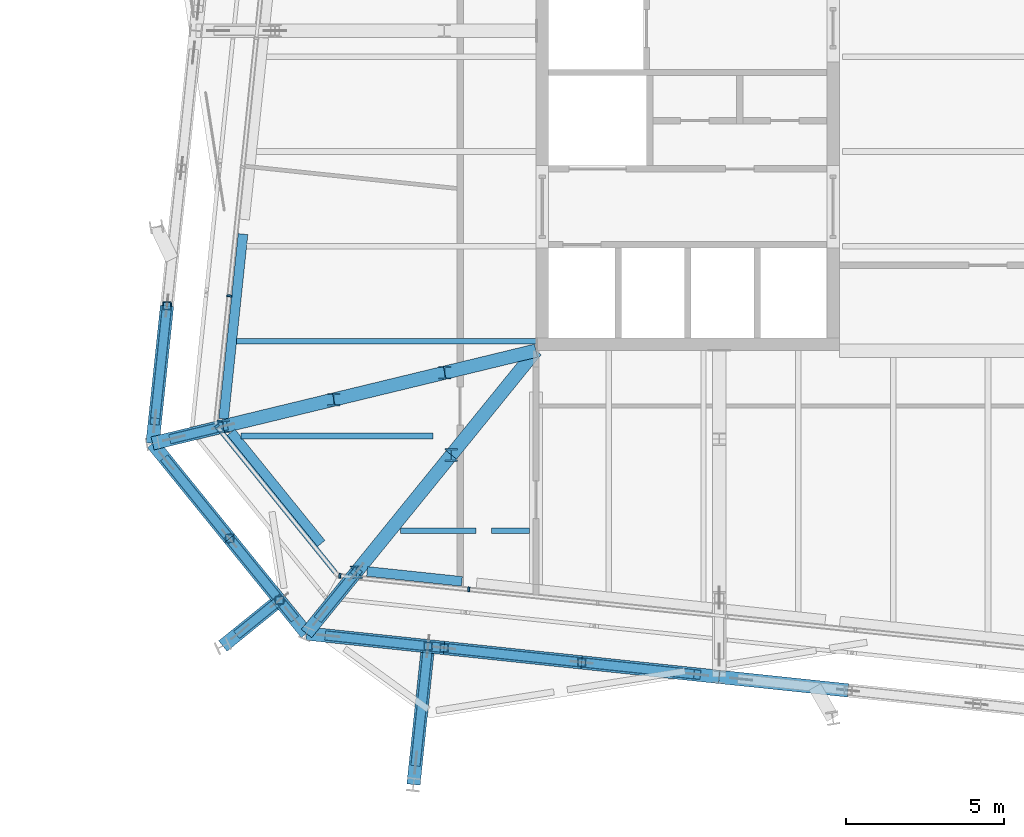
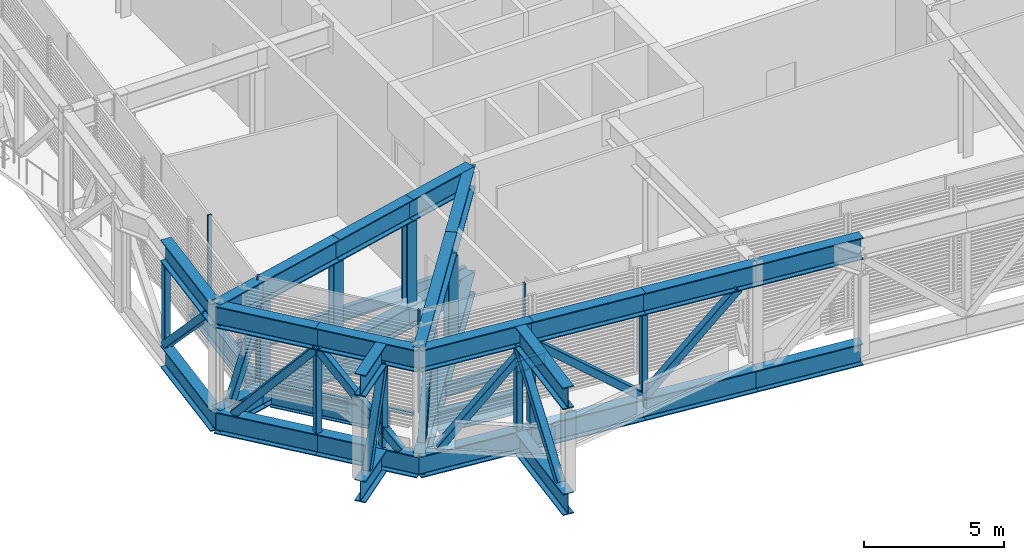
# One storey, part 3 of 36: 39 beams, 26 members, 3 elements without a shape of their own.
"""IFC4 building model written with IfcOpenShell, lengths in metres."""

from ifc_helpers import new_model, si_unit, direction, frame, origin, origin_2d, place, context, subcontext, project, spatial, rectangle, hollow_rectangle, i_section, extrude, material, layer, layer_set, material_profile, profile_set, type_object, element, aggregate, save


model = new_model("IFC4")

# Units and contexts
model_context = context("Model", 3, precision=1e-05, world=origin(), true_north=direction((0.0, 1.0)))
body_context = subcontext(model_context, "Body", "Model", "MODEL_VIEW")
ifc_project = project(units=[si_unit("LENGTHUNIT", "METRE"), si_unit("AREAUNIT", "SQUARE_METRE"), si_unit("VOLUMEUNIT", "CUBIC_METRE"), si_unit("PLANEANGLEUNIT", "RADIAN"), si_unit("MASSUNIT", "GRAM", prefix="KILO")], contexts=[model_context])

# Site, building, storey
site_placement = place(None, origin())
site = spatial("IfcSite", under=ifc_project, at=site_placement, CompositionType="ELEMENT")
building_placement = place(site_placement, origin())
building = spatial("IfcBuilding", under=site, at=building_placement, Name="Millrace Tower", CompositionType="ELEMENT")
storey_placement = place(building_placement, frame((0.0, 0.0, 271.39990234375)))
storey = spatial("IfcBuildingStorey", under=building, at=storey_placement, Name="L62", CompositionType="ELEMENT", Elevation=271.39990234375)

# Curtain wall, member
ifc_material_1 = material(Name="Aluminium and glass", Category="aluminium")
ifc_layer = layer(ifc_material_1, 0.14990234375)
ifc_layer_set = layer_set([ifc_layer], Name="Aluminium and glass")
curtain_wall_type = type_object("IfcCurtainWallType", Name="CW-5 truss and plant storey louvred infill", PredefinedType="NOTDEFINED", material=ifc_layer_set)
placement = place(storey_placement, origin())
curtain_wall_1 = element("IfcCurtainWall", 1, at=placement, inside=storey, type_object=curtain_wall_type, Name="Curtain wall E-F01 L62", PredefinedType="NOTDEFINED")
ifc_material_2 = material(Name="Aluminium", Category="aluminium")
ifc_material_profile_1 = material_profile(ifc_material_2, rectangle(XDim=0.06494140625, YDim=0.14990234375, at=origin_2d()))
ifc_profile_set_1 = profile_set([ifc_material_profile_1], Name="Aluminium")
member_type_1 = type_object("IfcMemberType", Name="CW-5 truss and plant storey louvred infill mullion", PredefinedType="MULLION", material=ifc_profile_set_1)
member_1_placement = place(storey_placement, frame((-24.391845703125, -11.693359375, 0.14013671875), z_axis=(0.0, 0.0, 1.0), x_axis=(0.629320278945, -0.777146052237, 0.0)))
member_1 = element("IfcMember", 2, at=member_1_placement, type_object=member_type_1, Name="CW5 mullion E-F01.1", PredefinedType="MULLION", context=body_context, shape_type="SweptSolid", body=[
    extrude(rectangle(XDim=0.06494140625, YDim=0.14990234375, at=origin_2d()), origin(), (0.0, 0.0, 1.0), 4.4599609375),
])

# Curtain wall, members
curtain_wall_2 = element("IfcCurtainWall", 3, at=placement, inside=storey, type_object=curtain_wall_type, Name="Curtain wall E-F02 L62", PredefinedType="NOTDEFINED")
member_2_placement = place(storey_placement, frame((-20.50244140625, -16.4248046875, 0.14013671875), z_axis=(0.0, 0.0, 1.0), x_axis=(0.994521896217, -0.104528455196, 0.0)))
member_2 = element("IfcMember", 4, at=member_2_placement, type_object=member_type_1, Name="CW5 mullion E-F02.1", PredefinedType="MULLION", context=body_context, shape_type="SweptSolid", body=[
    extrude(rectangle(XDim=0.06494140625, YDim=0.14990234375, at=origin_2d()), origin(), (0.0, 0.0, 1.0), 4.4599609375),
])
member_3_placement = place(storey_placement, frame((-16.425048828125, -16.853271484375, 0.14013671875), z_axis=(0.0, 0.0, 1.0), x_axis=(0.994521896217, -0.104528455196, 0.0)))
member_3 = element("IfcMember", 5, at=member_3_placement, type_object=member_type_1, Name="CW5 mullion E-F02.2", PredefinedType="MULLION", context=body_context, shape_type="SweptSolid", body=[
    extrude(rectangle(XDim=0.06494140625, YDim=0.14990234375, at=origin_2d()), origin(), (0.0, 0.0, 1.0), 4.4599609375),
])
aggregate(curtain_wall_2, [member_2, member_3])

# Curtain wall, member
curtain_wall_3 = element("IfcCurtainWall", 6, at=placement, inside=storey, type_object=curtain_wall_type, Name="Curtain wall E-F08 L62", PredefinedType="NOTDEFINED")
member_4_placement = place(storey_placement, frame((-24.00341796875, -7.56787109375, 0.14013671875), z_axis=(0.0, 0.0, 1.0), x_axis=(-0.104528455196, -0.994521896217, 0.0)))
member_4 = element("IfcMember", 7, at=member_4_placement, type_object=member_type_1, Name="CW5 mullion E-F08.9", PredefinedType="MULLION", context=body_context, shape_type="SweptSolid", body=[
    extrude(rectangle(XDim=0.06494140625, YDim=0.14990234375, at=origin_2d()), origin(), (0.0, 0.0, 1.0), 4.4599609375),
])
aggregate(curtain_wall_3, [member_4])

# Member
ifc_material_3 = material(Name="Aluminium", Category="aluminium")
ifc_material_profile_2 = material_profile(ifc_material_3, rectangle(XDim=0.14990234375, YDim=0.139892578125, at=origin_2d()))
ifc_profile_set_2 = profile_set([ifc_material_profile_2], Name="Aluminium")
member_type_2 = type_object("IfcMemberType", Name="CW-5 truss and plant storey louvred infill transom", PredefinedType="USERDEFINED", material=ifc_profile_set_2)
member_5_placement = place(storey_placement, frame((-24.349365234375, -11.745849609375, 0.070068359375), z_axis=(0.629321221277, -0.777145289151, 0.0), x_axis=(0.777145289151, 0.629321221277, 0.0)))
member_5 = element("IfcMember", 8, at=member_5_placement, type_object=member_type_2, Name="CW5 transom E-F01.1", ObjectType="TRANSOM", PredefinedType="USERDEFINED", context=body_context, shape_type="SweptSolid", body=[
    extrude(rectangle(XDim=0.14990234375, YDim=0.139892578125, at=origin_2d()), origin(), (0.0, 0.0, 1.0), 5.881103515625),
])

aggregate(curtain_wall_1, [member_1, member_5])

# Beams
ifc_material_4 = material(Name="Steel ASTM A992 Grade 50", Category="steel")
ifc_material_profile_3 = material_profile(ifc_material_4, i_section(OverallWidth=0.1650390625, OverallDepth=0.52587890625, WebThickness=0.0087890625, FlangeThickness=0.011474609375, FilletRadius=0.0126953125, at=origin_2d()))
ifc_profile_set_3 = profile_set([ifc_material_profile_3], Name="Steel ASTM A992 Grade 50")
beam_type_1 = type_object("IfcBeamType", Name="Floor beam W21x44", PredefinedType="JOIST", material=ifc_profile_set_3)
beam_1_placement = place(storey_placement, frame((-15.705322265625, -15.0, -0.4228515625), z_axis=(1.0, 0.0, 0.0), x_axis=(0.0, 1.0, 0.0)))
element("IfcBeam", 9, at=beam_1_placement, inside=storey, type_object=beam_type_1, Name="BM-E-L62-S1-S002-b", PredefinedType="JOIST", context=body_context, shape_type="SweptSolid", body=[
    extrude(i_section(OverallWidth=0.1650390625, OverallDepth=0.52587890625, WebThickness=0.0087890625, FlangeThickness=0.011474609375, FilletRadius=0.0126953125, at=origin_2d()), origin(), (0.0, 0.0, 1.0), 1.19580078125),
])
beam_2_placement = place(storey_placement, frame((-18.58056640625, -15.0, -0.4228515625), z_axis=(1.0, 0.0, 0.0), x_axis=(0.0, 1.0, 0.0)))
element("IfcBeam", 10, at=beam_2_placement, inside=storey, type_object=beam_type_1, Name="BM-E-L62-S1-S002-a", PredefinedType="JOIST", context=body_context, shape_type="SweptSolid", body=[
    extrude(i_section(OverallWidth=0.1650390625, OverallDepth=0.52587890625, WebThickness=0.0087890625, FlangeThickness=0.011474609375, FilletRadius=0.0126953125, at=origin_2d()), origin(), (0.0, 0.0, 1.0), 2.3837890625),
])
ifc_material_5 = material(Name="Steel ASTM A992 Grade 50", Category="steel")
ifc_material_profile_4 = material_profile(ifc_material_5, i_section(OverallWidth=0.177978515625, OverallDepth=0.599365234375, WebThickness=0.010009765625, FlangeThickness=0.012939453125, FilletRadius=0.012939453125, at=origin_2d()))
ifc_profile_set_4 = profile_set([ifc_material_profile_4], Name="Steel ASTM A992 Grade 50")
beam_type_2 = type_object("IfcBeamType", Name="Floor beam W24x55", PredefinedType="JOIST", material=ifc_profile_set_4)
beam_3_placement = place(storey_placement, frame((-23.76953125, -9.0, -0.459716796875), z_axis=(1.0, 0.0, 0.0), x_axis=(0.0, 1.0, 0.0)))
element("IfcBeam", 11, at=beam_3_placement, inside=storey, type_object=beam_type_2, Name="BM-E-L62-S1-S006", PredefinedType="JOIST", context=body_context, shape_type="SweptSolid", body=[
    extrude(i_section(OverallWidth=0.177978515625, OverallDepth=0.599365234375, WebThickness=0.010009765625, FlangeThickness=0.012939453125, FilletRadius=0.012939453125, at=origin_2d()), origin(), (0.0, 0.0, 1.0), 9.469482421875),
])
beam_4_placement = place(storey_placement, frame((-23.635498046875, -12.0, -0.459716796875), z_axis=(1.0, 0.0, 0.0), x_axis=(0.0, 1.0, 0.0)))
element("IfcBeam", 12, at=beam_4_placement, inside=storey, type_object=beam_type_2, Name="BM-E-L62-S1-S004-a", PredefinedType="JOIST", context=body_context, shape_type="SweptSolid", body=[
    extrude(i_section(OverallWidth=0.177978515625, OverallDepth=0.599365234375, WebThickness=0.010009765625, FlangeThickness=0.012939453125, FilletRadius=0.012939453125, at=origin_2d()), origin(), (0.0, 0.0, 1.0), 6.0712890625),
])
ifc_material_6 = material(Name="Steel ASTM A992 Grade 50", Category="steel")
ifc_material_profile_5 = material_profile(ifc_material_6, i_section(OverallWidth=0.307373046875, OverallDepth=0.927001953125, WebThickness=0.01953125, FlangeThickness=0.031982421875, FilletRadius=0.01904296875, at=origin_2d()))
ifc_profile_set_5 = profile_set([ifc_material_profile_5], Name="Steel ASTM A992 Grade 50")
beam_type_3 = type_object("IfcBeamType", Name="Ring beam short span W36x194", PredefinedType="SPANDREL", material=ifc_profile_set_5)
beam_5_placement = place(storey_placement, frame((-24.182373046875, -11.4580078125, -0.62353515625), z_axis=(0.104529072092, 0.994521831378, 0.0), x_axis=(-0.994521831378, 0.104529072092, 0.0)))
element("IfcBeam", 13, at=beam_5_placement, inside=storey, type_object=beam_type_3, Name="RNG-E-L62-S1-01-a", PredefinedType="SPANDREL", context=body_context, shape_type="SweptSolid", body=[
    extrude(i_section(OverallWidth=0.307373046875, OverallDepth=0.927001953125, WebThickness=0.01953125, FlangeThickness=0.031982421875, FilletRadius=0.01904296875, at=origin_2d()), origin(), (0.0, 0.0, 1.0), 5.87646484375),
])
beam_6_placement = place(storey_placement, frame((-16.642822265625, -16.6005859375, -0.62353515625), z_axis=(-0.994522740556, 0.104520421529, 0.0), x_axis=(-0.104520421529, -0.994522740556, 0.0)))
element("IfcBeam", 14, at=beam_6_placement, inside=storey, type_object=beam_type_3, Name="RNG-E-L62-S1-15-b", PredefinedType="SPANDREL", context=body_context, shape_type="SweptSolid", body=[
    extrude(i_section(OverallWidth=0.307373046875, OverallDepth=0.927001953125, WebThickness=0.01953125, FlangeThickness=0.031982421875, FilletRadius=0.01904296875, at=origin_2d()), origin(), (0.0, 0.0, 1.0), 3.015625),
])
beam_7_placement = place(storey_placement, frame((-21.094482421875, -15.401611328125, -0.62353515625), z_axis=(-0.629334573383, 0.777134476615, 0.0), x_axis=(-0.777134476615, -0.629334573383, 0.0)))
element("IfcBeam", 15, at=beam_7_placement, inside=storey, type_object=beam_type_3, Name="RNG-E-L62-S1-16", PredefinedType="SPANDREL", context=body_context, shape_type="SweptSolid", body=[
    extrude(i_section(OverallWidth=0.307373046875, OverallDepth=0.927001953125, WebThickness=0.01953125, FlangeThickness=0.031982421875, FilletRadius=0.01904296875, at=origin_2d()), origin(), (0.0, 0.0, 1.0), 4.53271484375),
])

# Members
ifc_material_7 = material(Name="Steel ASTM A992 Grade 50", Category="steel")
ifc_material_profile_6 = material_profile(ifc_material_7, i_section(OverallWidth=0.4013671875, OverallDepth=0.398681640625, WebThickness=0.02490234375, FlangeThickness=0.03955078125, FilletRadius=0.01513671875, at=origin_2d()))
ifc_profile_set_6 = profile_set([ifc_material_profile_6], Name="Steel ASTM A992 Grade 50")
member_type_3 = type_object("IfcMemberType", Name="Transfer truss Vierendeel moment post W14x211", PredefinedType="POST", material=ifc_profile_set_6)
for number, where, z_axis, x_axis, name in (
    (16, (-24.194091796875, -11.694580078125, -0.159912109375), (0.0, 0.0, 1.0), (1.0, 0.0, 0.0), "TRS-L62-C01-V01"),
    (17, (-20.695068359375, -10.847900390625, -0.159912109375), (0.0, 0.0, 1.0), (1.0, 0.0, 0.0), "TRS-L62-C01-V02"),
    (18, (-17.186767578125, -9.998779296875, -0.159912109375), (0.0, 0.0, 1.0), (1.0, 0.0, 0.0), "TRS-L62-C01-V03"),
    (19, (-19.98486328125, -16.307861328125, -0.159912109375), (0.0, 0.0, 1.0), (1.0, 0.0, 0.0), "TRS-L62-C02-V01"),
    (20, (-16.9775390625, -12.6005859375, -0.159912109375), (0.0, 0.0, 1.0), (1.0, 0.0, 0.0), "TRS-L62-C02-V02"),
):
    element("IfcMember", number, at=place(storey_placement, frame(where, z_axis=z_axis, x_axis=x_axis)), inside=storey, type_object=member_type_3, Name=name, PredefinedType="POST", context=body_context, shape_type="SweptSolid", body=[
        extrude(i_section(OverallWidth=0.4013671875, OverallDepth=0.398681640625, WebThickness=0.02490234375, FlangeThickness=0.03955078125, FilletRadius=0.01513671875, at=origin_2d()), origin(), (0.0, 0.0, 1.0), 3.652587890625),
    ])

# Beams
ifc_material_8 = material(Name="Steel ASTM A992 Grade 50", Category="steel")
ifc_material_profile_7 = material_profile(ifc_material_8, i_section(OverallWidth=0.424072265625, OverallDepth=0.947509765625, WebThickness=0.02392578125, FlangeThickness=0.042724609375, FilletRadius=0.024169921875, at=origin_2d()))
ifc_profile_set_7 = profile_set([ifc_material_profile_7], Name="Steel ASTM A992 Grade 50")
beam_type_4 = type_object("IfcBeamType", Name="Transfer truss chord W36x302", PredefinedType="BEAM", material=ifc_profile_set_7)
for number, where, z_axis, x_axis, name in (
    (21, (-26.429443359375, -12.23583984375, -0.633544921875), (0.629339814045, -0.777130232624, 0.0), (0.777130232624, 0.629339814045, 0.0), "TRS-L62-R01-B01"),
    (22, (-26.429443359375, -12.23583984375, 3.96630859375), (0.629339814045, -0.777130232624, 0.0), (0.777130232624, 0.629339814045, 0.0), "TRS-L62-R01-T01"),
):
    element("IfcBeam", number, at=place(storey_placement, frame(where, z_axis=z_axis, x_axis=x_axis)), inside=storey, type_object=beam_type_4, Name=name, PredefinedType="BEAM", context=body_context, shape_type="SweptSolid", body=[
        extrude(i_section(OverallWidth=0.424072265625, OverallDepth=0.947509765625, WebThickness=0.02392578125, FlangeThickness=0.042724609375, FilletRadius=0.024169921875, at=origin_2d()), origin(), (0.0, 0.0, 1.0), 3.868896484375),
    ])
for number, where, z_axis, x_axis, name in (
    (23, (-23.99462890625, -15.242431640625, -0.633544921875), (0.629308952043, -0.777155224442, 0.0), (0.777155224442, 0.629308952043, 0.0), "TRS-L62-R01-B02"),
    (24, (-23.99462890625, -15.242431640625, 3.96630859375), (0.629308952043, -0.777155224442, 0.0), (0.777155224442, 0.629308952043, 0.0), "TRS-L62-R01-T02"),
):
    element("IfcBeam", number, at=place(storey_placement, frame(where, z_axis=z_axis, x_axis=x_axis)), inside=storey, type_object=beam_type_4, Name=name, PredefinedType="BEAM", context=body_context, shape_type="SweptSolid", body=[
        extrude(i_section(OverallWidth=0.424072265625, OverallDepth=0.947509765625, WebThickness=0.02392578125, FlangeThickness=0.042724609375, FilletRadius=0.024169921875, at=origin_2d()), origin(), (0.0, 0.0, 1.0), 3.869140625),
    ])
for number, where, z_axis, x_axis, name in (
    (25, (-21.559814453125, -18.249267578125, -0.633544921875), (0.994519506184, -0.104551192336, 0.0), (0.104551192336, 0.994519506184, 0.0), "TRS-L62-R02-B01"),
    (26, (-21.559814453125, -18.249267578125, 3.96630859375), (0.994519506184, -0.104551192336, 0.0), (0.104551192336, 0.994519506184, 0.0), "TRS-L62-R02-T01"),
):
    element("IfcBeam", number, at=place(storey_placement, frame(where, z_axis=z_axis, x_axis=x_axis)), inside=storey, type_object=beam_type_4, Name=name, PredefinedType="BEAM", context=body_context, shape_type="SweptSolid", body=[
        extrude(i_section(OverallWidth=0.424072265625, OverallDepth=0.947509765625, WebThickness=0.02392578125, FlangeThickness=0.042724609375, FilletRadius=0.024169921875, at=origin_2d()), origin(), (0.0, 0.0, 1.0), 4.3759765625),
    ])
for number, where, z_axis, x_axis, name in (
    (27, (-17.207763671875, -18.706787109375, -0.633544921875), (0.994525914823, -0.104490213635, 0.0), (0.104490213635, 0.994525914823, 0.0), "TRS-L62-R02-B02"),
    (28, (-17.207763671875, -18.706787109375, 3.96630859375), (0.994525914823, -0.104490213635, 0.0), (0.104490213635, 0.994525914823, 0.0), "TRS-L62-R02-T02"),
):
    element("IfcBeam", number, at=place(storey_placement, frame(where, z_axis=z_axis, x_axis=x_axis)), inside=storey, type_object=beam_type_4, Name=name, PredefinedType="BEAM", context=body_context, shape_type="SweptSolid", body=[
        extrude(i_section(OverallWidth=0.424072265625, OverallDepth=0.947509765625, WebThickness=0.02392578125, FlangeThickness=0.042724609375, FilletRadius=0.024169921875, at=origin_2d()), origin(), (0.0, 0.0, 1.0), 4.376220703125),
    ])
for number, where, z_axis, x_axis, name in (
    (29, (-12.85546875, -19.1640625, -0.633544921875), (0.994519506184, -0.104551192336, 0.0), (0.104551192336, 0.994519506184, 0.0), "TRS-L62-R02-B03"),
    (30, (-12.85546875, -19.1640625, 3.96630859375), (0.994519506184, -0.104551192336, 0.0), (0.104551192336, 0.994519506184, 0.0), "TRS-L62-R02-T03"),
):
    element("IfcBeam", number, at=place(storey_placement, frame(where, z_axis=z_axis, x_axis=x_axis)), inside=storey, type_object=beam_type_4, Name=name, PredefinedType="BEAM", context=body_context, shape_type="SweptSolid", body=[
        extrude(i_section(OverallWidth=0.424072265625, OverallDepth=0.947509765625, WebThickness=0.02392578125, FlangeThickness=0.042724609375, FilletRadius=0.024169921875, at=origin_2d()), origin(), (0.0, 0.0, 1.0), 4.3759765625),
    ])
for number, where, z_axis, x_axis, name in (
    (31, (-8.50341796875, -19.62158203125, -0.633544921875), (0.994524686351, -0.104501905433, 0.0), (0.104501905433, 0.994524686351, 0.0), "TRS-L62-R03-B01"),
    (32, (-8.50341796875, -19.62158203125, 3.96630859375), (0.994524686351, -0.104501905433, 0.0), (0.104501905433, 0.994524686351, 0.0), "TRS-L62-R03-T01"),
):
    element("IfcBeam", number, at=place(storey_placement, frame(where, z_axis=z_axis, x_axis=x_axis)), inside=storey, type_object=beam_type_4, Name=name, PredefinedType="BEAM", context=body_context, shape_type="SweptSolid", body=[
        extrude(i_section(OverallWidth=0.424072265625, OverallDepth=0.947509765625, WebThickness=0.02392578125, FlangeThickness=0.042724609375, FilletRadius=0.024169921875, at=origin_2d()), origin(), (0.0, 0.0, 1.0), 4.10009765625),
    ])
for number, where, z_axis, x_axis, name in (
    (33, (-25.97216796875, -7.883544921875, -0.633544921875), (-0.104490213635, -0.994525914823, 0.0), (0.994525914823, -0.104490213635, 0.0), "TRS-L62-R16-B03"),
    (34, (-25.97216796875, -7.883544921875, 3.96630859375), (-0.104490213635, -0.994525914823, 0.0), (0.994525914823, -0.104490213635, 0.0), "TRS-L62-R16-T03"),
):
    element("IfcBeam", number, at=place(storey_placement, frame(where, z_axis=z_axis, x_axis=x_axis)), inside=storey, type_object=beam_type_4, Name=name, PredefinedType="BEAM", context=body_context, shape_type="SweptSolid", body=[
        extrude(i_section(OverallWidth=0.424072265625, OverallDepth=0.947509765625, WebThickness=0.02392578125, FlangeThickness=0.042724609375, FilletRadius=0.024169921875, at=origin_2d()), origin(), (0.0, 0.0, 1.0), 4.376220703125),
    ])
for number, where, z_axis, x_axis, name in (
    (35, (-26.429443359375, -12.23583984375, -0.633544921875), (0.971914146728, 0.235335699355, 0.0), (-0.235335699355, 0.971914146728, 0.0), "TRS-L62-C01-B01"),
    (36, (-26.429443359375, -12.23583984375, 3.96630859375), (0.971914146728, 0.235335699355, 0.0), (-0.235335699355, 0.971914146728, 0.0), "TRS-L62-C01-T01"),
):
    element("IfcBeam", number, at=place(storey_placement, frame(where, z_axis=z_axis, x_axis=x_axis)), inside=storey, type_object=beam_type_4, Name=name, PredefinedType="BEAM", context=body_context, shape_type="SweptSolid", body=[
        extrude(i_section(OverallWidth=0.424072265625, OverallDepth=0.947509765625, WebThickness=0.02392578125, FlangeThickness=0.042724609375, FilletRadius=0.024169921875, at=origin_2d()), origin(), (0.0, 0.0, 1.0), 2.300048828125),
    ])
for number, where, z_axis, x_axis, name in (
    (37, (-24.194091796875, -11.694580078125, -0.633544921875), (0.97194977332, 0.235188516179, 0.0), (-0.235188516179, 0.97194977332, 0.0), "TRS-L62-C01-B02"),
    (38, (-24.194091796875, -11.694580078125, 3.96630859375), (0.97194977332, 0.235188516179, 0.0), (-0.235188516179, 0.97194977332, 0.0), "TRS-L62-C01-T02"),
):
    element("IfcBeam", number, at=place(storey_placement, frame(where, z_axis=z_axis, x_axis=x_axis)), inside=storey, type_object=beam_type_4, Name=name, PredefinedType="BEAM", context=body_context, shape_type="SweptSolid", body=[
        extrude(i_section(OverallWidth=0.424072265625, OverallDepth=0.947509765625, WebThickness=0.02392578125, FlangeThickness=0.042724609375, FilletRadius=0.024169921875, at=origin_2d()), origin(), (0.0, 0.0, 1.0), 3.60009765625),
    ])
for number, where, z_axis, x_axis, name in (
    (39, (-20.695068359375, -10.847900390625, -0.633544921875), (0.971937327104, 0.235239945975, 0.0), (-0.235239945975, 0.971937327104, 0.0), "TRS-L62-C01-B03"),
    (40, (-20.695068359375, -10.847900390625, 3.96630859375), (0.971937327104, 0.235239945975, 0.0), (-0.235239945975, 0.971937327104, 0.0), "TRS-L62-C01-T03"),
):
    element("IfcBeam", number, at=place(storey_placement, frame(where, z_axis=z_axis, x_axis=x_axis)), inside=storey, type_object=beam_type_4, Name=name, PredefinedType="BEAM", context=body_context, shape_type="SweptSolid", body=[
        extrude(i_section(OverallWidth=0.424072265625, OverallDepth=0.947509765625, WebThickness=0.02392578125, FlangeThickness=0.042724609375, FilletRadius=0.024169921875, at=origin_2d()), origin(), (0.0, 0.0, 1.0), 3.609619140625),
    ])
for number, where, z_axis, x_axis, name in (
    (41, (-17.186767578125, -9.998779296875, -0.633544921875), (0.971933314417, 0.235256524515, 0.0), (-0.235256524515, 0.971933314417, 0.0), "TRS-L62-C01-B04"),
    (42, (-17.186767578125, -9.998779296875, 3.96630859375), (0.971933314417, 0.235256524515, 0.0), (-0.235256524515, 0.971933314417, 0.0), "TRS-L62-C01-T04"),
):
    element("IfcBeam", number, at=place(storey_placement, frame(where, z_axis=z_axis, x_axis=x_axis)), inside=storey, type_object=beam_type_4, Name=name, PredefinedType="BEAM", context=body_context, shape_type="SweptSolid", body=[
        extrude(i_section(OverallWidth=0.424072265625, OverallDepth=0.947509765625, WebThickness=0.02392578125, FlangeThickness=0.042724609375, FilletRadius=0.024169921875, at=origin_2d()), origin(), (0.0, 0.0, 1.0), 2.969970703125),
    ])
for number, where, z_axis, x_axis, name in (
    (43, (-21.559814453125, -18.249267578125, -0.633544921875), (0.630004186519, 0.776591736351, 0.0), (-0.776591736351, 0.630004186519, 0.0), "TRS-L62-C02-B01"),
    (44, (-21.559814453125, -18.249267578125, 3.96630859375), (0.630004186519, 0.776591736351, 0.0), (-0.776591736351, 0.630004186519, 0.0), "TRS-L62-C02-T01"),
):
    element("IfcBeam", number, at=place(storey_placement, frame(where, z_axis=z_axis, x_axis=x_axis)), inside=storey, type_object=beam_type_4, Name=name, PredefinedType="BEAM", context=body_context, shape_type="SweptSolid", body=[
        extrude(i_section(OverallWidth=0.424072265625, OverallDepth=0.947509765625, WebThickness=0.02392578125, FlangeThickness=0.042724609375, FilletRadius=0.024169921875, at=origin_2d()), origin(), (0.0, 0.0, 1.0), 2.5),
    ])
for number, where, z_axis, x_axis, name in (
    (45, (-19.98486328125, -16.307861328125, -0.633544921875), (0.629982080994, 0.776609668769, 0.0), (-0.776609668769, 0.629982080994, 0.0), "TRS-L62-C02-B02"),
    (46, (-19.98486328125, -16.307861328125, 3.96630859375), (0.629982080994, 0.776609668769, 0.0), (-0.776609668769, 0.629982080994, 0.0), "TRS-L62-C02-T02"),
):
    element("IfcBeam", number, at=place(storey_placement, frame(where, z_axis=z_axis, x_axis=x_axis)), inside=storey, type_object=beam_type_4, Name=name, PredefinedType="BEAM", context=body_context, shape_type="SweptSolid", body=[
        extrude(i_section(OverallWidth=0.424072265625, OverallDepth=0.947509765625, WebThickness=0.02392578125, FlangeThickness=0.042724609375, FilletRadius=0.024169921875, at=origin_2d()), origin(), (0.0, 0.0, 1.0), 4.773681640625),
    ])
for number, where, z_axis, x_axis, name in (
    (47, (-16.9775390625, -12.6005859375, -0.633544921875), (0.629997716758, 0.776596984851, 0.0), (-0.776596984851, 0.629997716758, 0.0), "TRS-L62-C02-B03"),
    (48, (-16.9775390625, -12.6005859375, 3.96630859375), (0.629997716758, 0.776596984851, 0.0), (-0.776596984851, 0.629997716758, 0.0), "TRS-L62-C02-T03"),
):
    element("IfcBeam", number, at=place(storey_placement, frame(where, z_axis=z_axis, x_axis=x_axis)), inside=storey, type_object=beam_type_4, Name=name, PredefinedType="BEAM", context=body_context, shape_type="SweptSolid", body=[
        extrude(i_section(OverallWidth=0.424072265625, OverallDepth=0.947509765625, WebThickness=0.02392578125, FlangeThickness=0.042724609375, FilletRadius=0.024169921875, at=origin_2d()), origin(), (0.0, 0.0, 1.0), 4.25),
    ])
for number, where, z_axis, x_axis, name in (
    (49, (-24.2060546875, -18.646484375, -0.633544921875), (0.777136278398, 0.629332348443, 0.0), (-0.629332348443, 0.777136278398, 0.0), "TRS-L62-B-D-X01-B01"),
    (50, (-24.2060546875, -18.646484375, 3.96630859375), (0.777136278398, 0.629332348443, 0.0), (-0.629332348443, 0.777136278398, 0.0), "TRS-L62-B-D-X01-T01"),
):
    element("IfcBeam", number, at=place(storey_placement, frame(where, z_axis=z_axis, x_axis=x_axis)), inside=storey, type_object=beam_type_4, Name=name, PredefinedType="BEAM", context=body_context, shape_type="SweptSolid", body=[
        extrude(i_section(OverallWidth=0.424072265625, OverallDepth=0.947509765625, WebThickness=0.02392578125, FlangeThickness=0.042724609375, FilletRadius=0.024169921875, at=origin_2d()), origin(), (0.0, 0.0, 1.0), 2.094482421875),
    ])
for number, where, z_axis, x_axis, name in (
    (51, (-18.174560546875, -23.0283203125, -0.633544921875), (0.104490524208, 0.994525882192, 0.0), (-0.994525882192, 0.104490524208, 0.0), "TRS-L62-B-D-X02-B01"),
    (52, (-18.174560546875, -23.0283203125, 3.96630859375), (0.104490524208, 0.994525882192, 0.0), (-0.994525882192, 0.104490524208, 0.0), "TRS-L62-B-D-X02-T01"),
):
    element("IfcBeam", number, at=place(storey_placement, frame(where, z_axis=z_axis, x_axis=x_axis)), inside=storey, type_object=beam_type_4, Name=name, PredefinedType="BEAM", context=body_context, shape_type="SweptSolid", body=[
        extrude(i_section(OverallWidth=0.424072265625, OverallDepth=0.947509765625, WebThickness=0.02392578125, FlangeThickness=0.042724609375, FilletRadius=0.024169921875, at=origin_2d()), origin(), (0.0, 0.0, 1.0), 4.18701171875),
    ])

# Members
ifc_material_9 = material(Name="Steel ASTM A500 Grade C", Category="steel")
ifc_material_profile_8 = material_profile(ifc_material_9, hollow_rectangle(XDim=0.3046875, YDim=0.3046875, WallThickness=0.0126953125, InnerFilletRadius=0.00634765625, OuterFilletRadius=0.01904296875, at=origin_2d()))
ifc_profile_set_8 = profile_set([ifc_material_profile_8], Name="Steel ASTM A500 Grade C")
member_type_4 = type_object("IfcMemberType", Name="Transfer truss diagonal HSS12x12x1/2", PredefinedType="BRACE", material=ifc_profile_set_8)
for number, where, z_axis, x_axis, name in (
    (53, (-25.989013671875, -12.77978515625, -0.159912109375), (0.412432891534, -0.509268034876, 0.755344410606), (0.777119266758, 0.629353354828, 0.0), "TRS-L62-R01-D01"),
    (54, (-22.00048828125, -17.705322265625, -0.159912109375), (-0.412380386811, 0.509316031115, 0.755340715852), (-0.777187456256, -0.629269145787, 0.0), "TRS-L62-R01-D02"),
):
    element("IfcMember", number, at=place(storey_placement, frame(where, z_axis=z_axis, x_axis=x_axis)), inside=storey, type_object=member_type_4, Name=name, PredefinedType="BRACE", context=body_context, shape_type="SweptSolid", body=[
        extrude(hollow_rectangle(XDim=0.3046875, YDim=0.3046875, WallThickness=0.0126953125, InnerFilletRadius=0.00634765625, OuterFilletRadius=0.01904296875, at=origin_2d()), origin(), (0.0, 0.0, 1.0), 4.835693359375),
    ])
member_6_placement = place(storey_placement, frame((-20.86376953125, -18.322509765625, -0.159912109375), z_axis=(0.705489731102, -0.074152977413, 0.704830174759), x_axis=(0.104532672253, 0.994521452977, 0.0)))
element("IfcMember", 55, at=member_6_placement, inside=storey, type_object=member_type_4, Name="TRS-L62-R02-D01", PredefinedType="BRACE", context=body_context, shape_type="SweptSolid", body=[
    extrude(hollow_rectangle(XDim=0.3046875, YDim=0.3046875, WallThickness=0.0126953125, InnerFilletRadius=0.00634765625, OuterFilletRadius=0.01904296875, at=origin_2d()), origin(), (0.0, 0.0, 1.0), 5.18212890625),
])
member_7_placement = place(storey_placement, frame((-12.85546875, -19.1640625, -0.159912109375), z_axis=(-0.763525613441, 0.080220086048, 0.640775604571), x_axis=(-0.104490213635, -0.994525914823, 0.0)))
element("IfcMember", 56, at=member_7_placement, inside=storey, type_object=member_type_4, Name="TRS-L62-R02-D02", PredefinedType="BRACE", context=body_context, shape_type="SweptSolid", body=[
    extrude(hollow_rectangle(XDim=0.3046875, YDim=0.3046875, WallThickness=0.0126953125, InnerFilletRadius=0.00634765625, OuterFilletRadius=0.01904296875, at=origin_2d()), origin(), (0.0, 0.0, 1.0), 5.7001953125),
])
for number, where, z_axis, x_axis, name in (
    (57, (-12.85546875, -19.1640625, -0.159912109375), (0.705489731102, -0.074152977413, 0.704830174759), (0.104532672253, 0.994521452977, 0.0), "TRS-L62-R02-D03"),
    (58, (-25.97216796875, -7.883544921875, -0.159912109375), (-0.074152977413, -0.705489731102, 0.704830174759), (0.994521452977, -0.104532672253, 0.0), "TRS-L62-R16-D03"),
):
    element("IfcMember", number, at=place(storey_placement, frame(where, z_axis=z_axis, x_axis=x_axis)), inside=storey, type_object=member_type_4, Name=name, PredefinedType="BRACE", context=body_context, shape_type="SweptSolid", body=[
        extrude(hollow_rectangle(XDim=0.3046875, YDim=0.3046875, WallThickness=0.0126953125, InnerFilletRadius=0.00634765625, OuterFilletRadius=0.01904296875, at=origin_2d()), origin(), (0.0, 0.0, 1.0), 5.18212890625),
    ])
member_8_placement = place(storey_placement, frame((-25.749267578125, -12.071044921875, -0.159912109375), z_axis=(0.389993854924, 0.094406675713, 0.915965159109), x_axis=(-0.235276857367, 0.971928392623, 0.0)))
element("IfcMember", 59, at=member_8_placement, inside=storey, type_object=member_type_4, Name="TRS-L62-C01-D01", PredefinedType="BRACE", context=body_context, shape_type="SweptSolid", body=[
    extrude(hollow_rectangle(XDim=0.3046875, YDim=0.3046875, WallThickness=0.0126953125, InnerFilletRadius=0.00634765625, OuterFilletRadius=0.01904296875, at=origin_2d()), origin(), (0.0, 0.0, 1.0), 3.98779296875),
])
member_9_placement = place(storey_placement, frame((-21.118896484375, -17.70556640625, -0.159912109375), z_axis=(0.278496852766, 0.343249619394, 0.897005686596), x_axis=(-0.776549464538, 0.630056290442, 0.0)))
element("IfcMember", 60, at=member_9_placement, inside=storey, type_object=member_type_4, Name="TRS-L62-C02-D01", PredefinedType="BRACE", context=body_context, shape_type="SweptSolid", body=[
    extrude(hollow_rectangle(XDim=0.3046875, YDim=0.3046875, WallThickness=0.0126953125, InnerFilletRadius=0.00634765625, OuterFilletRadius=0.01904296875, at=origin_2d()), origin(), (0.0, 0.0, 1.0), 4.072021484375),
])
member_10_placement = place(storey_placement, frame((-23.662109375, -18.205810546875, -0.159912109375), z_axis=(0.312898999079, 0.253305016854, 0.915385593513), x_axis=(-0.629206972819, 0.777237792028, 0.0)))
element("IfcMember", 61, at=member_10_placement, inside=storey, type_object=member_type_4, Name="TRS-L62-B-D-X01-D01", PredefinedType="BRACE", context=body_context, shape_type="SweptSolid", body=[
    extrude(hollow_rectangle(XDim=0.3046875, YDim=0.3046875, WallThickness=0.0126953125, InnerFilletRadius=0.00634765625, OuterFilletRadius=0.01904296875, at=origin_2d()), origin(), (0.0, 0.0, 1.0), 3.990234375),
])
member_11_placement = place(storey_placement, frame((-18.1015625, -22.332275390625, -0.159912109375), z_axis=(0.074388717899, 0.707679034105, 0.702607076066), x_axis=(-0.994520630985, 0.104540492367, 0.0)))
element("IfcMember", 62, at=member_11_placement, inside=storey, type_object=member_type_4, Name="TRS-L62-B-D-X02-D01", PredefinedType="BRACE", context=body_context, shape_type="SweptSolid", body=[
    extrude(hollow_rectangle(XDim=0.3046875, YDim=0.3046875, WallThickness=0.0126953125, InnerFilletRadius=0.00634765625, OuterFilletRadius=0.01904296875, at=origin_2d()), origin(), (0.0, 0.0, 1.0), 5.19873046875),
])
ifc_material_10 = material(Name="Steel ASTM A500 Grade C", Category="steel")
ifc_material_profile_9 = material_profile(ifc_material_10, hollow_rectangle(XDim=0.25390625, YDim=0.25390625, WallThickness=0.0126953125, InnerFilletRadius=0.00634765625, OuterFilletRadius=0.01904296875, at=origin_2d()))
ifc_profile_set_9 = profile_set([ifc_material_profile_9], Name="Steel ASTM A500 Grade C")
member_type_5 = type_object("IfcMemberType", Name="Transfer truss post HSS10x10x1/2", PredefinedType="POST", material=ifc_profile_set_9)
for number, where, z_axis, x_axis, name in (
    (63, (-23.99462890625, -15.242431640625, -0.159912109375), (0.0, 0.0, 1.0), (1.0, 0.0, 0.0), "TRS-L62-R01-V01"),
    (64, (-17.207763671875, -18.706787109375, -0.159912109375), (0.0, 0.0, 1.0), (1.0, 0.0, 0.0), "TRS-L62-R02-V01"),
    (65, (-12.85546875, -19.1640625, -0.159912109375), (0.0, 0.0, 1.0), (1.0, 0.0, 0.0), "TRS-L62-R02-V02"),
    (66, (-25.97216796875, -7.883544921875, -0.159912109375), (0.0, 0.0, 1.0), (1.0, 0.0, 0.0), "TRS-L62-R16-V02"),
    (67, (-22.41357421875, -17.195068359375, -0.159912109375), (0.0, 0.0, 1.0), (1.0, 0.0, 0.0), "TRS-L62-B-D-X01-V01"),
    (68, (-17.71484375, -18.6533203125, -0.159912109375), (0.0, 0.0, 1.0), (1.0, 0.0, 0.0), "TRS-L62-B-D-X02-V01"),
):
    element("IfcMember", number, at=place(storey_placement, frame(where, z_axis=z_axis, x_axis=x_axis)), inside=storey, type_object=member_type_5, Name=name, PredefinedType="POST", context=body_context, shape_type="SweptSolid", body=[
        extrude(hollow_rectangle(XDim=0.25390625, YDim=0.25390625, WallThickness=0.0126953125, InnerFilletRadius=0.00634765625, OuterFilletRadius=0.01904296875, at=origin_2d()), origin(), (0.0, 0.0, 1.0), 3.652587890625),
    ])

save(model, "model.ifc")
